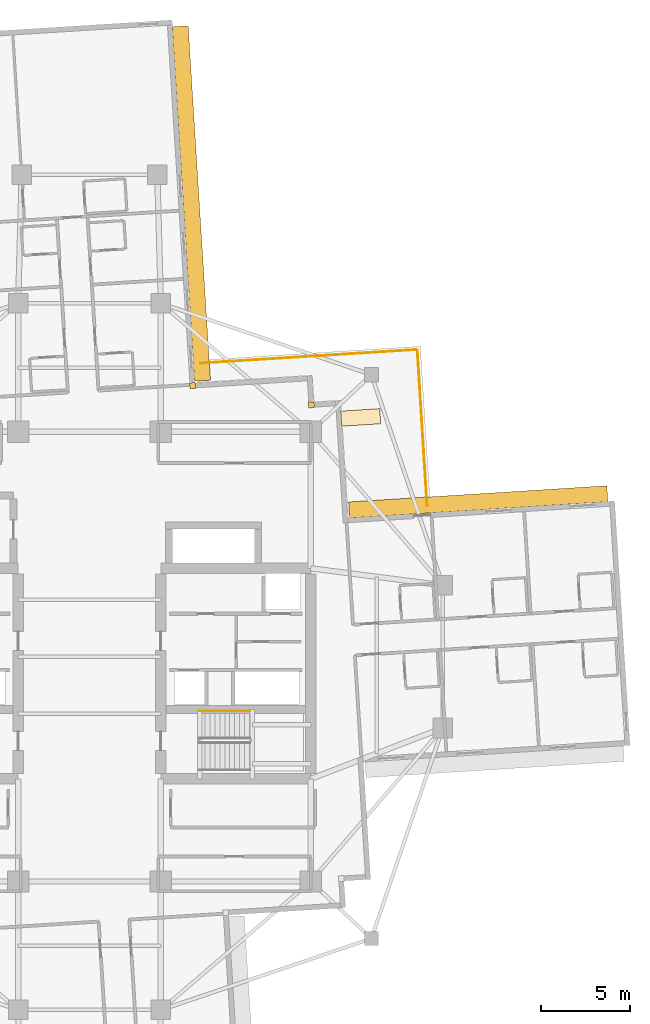
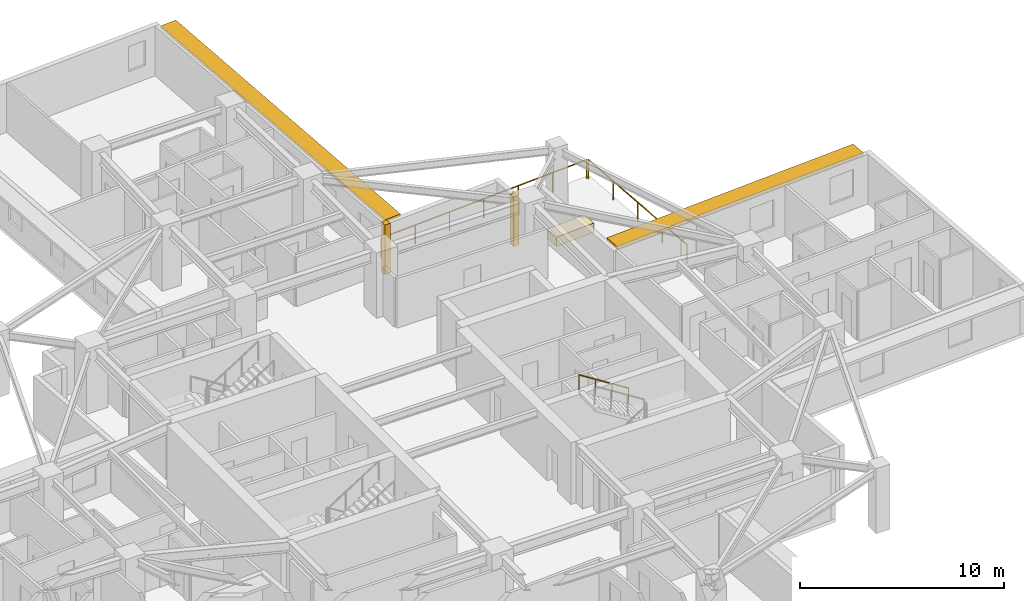
# One storey, part 14 of 14: 3 coverings, 3 railings, 2 shading devices.
"""IFC4 building model written with IfcOpenShell, lengths in metres."""

from ifc_helpers import new_model, si_unit, direction, frame, origin, origin_2d, place, context, subcontext, project, spatial, rectangle, circle, extrude, material, layer, layer_set, type_object, element, save


model = new_model("IFC4")

# Units and contexts
model_context = context("Model", 3, precision=1e-05, world=origin(), true_north=direction((0.0, 1.0)))
body_context = subcontext(model_context, "Body", "Model", "MODEL_VIEW")
ifc_project = project(units=[si_unit("LENGTHUNIT", "METRE"), si_unit("AREAUNIT", "SQUARE_METRE"), si_unit("VOLUMEUNIT", "CUBIC_METRE"), si_unit("PLANEANGLEUNIT", "RADIAN"), si_unit("MASSUNIT", "GRAM", prefix="KILO")], contexts=[model_context])

# Site, building, storey
site_placement = place(None, origin())
site = spatial("IfcSite", under=ifc_project, at=site_placement, CompositionType="ELEMENT")
building_placement = place(site_placement, origin())
building = spatial("IfcBuilding", under=site, at=building_placement, Name="Qingluan Cross Belvedere", CompositionType="ELEMENT")
storey_placement = place(building_placement, frame((0.0, 0.0, 128.10009765625)))
storey = spatial("IfcBuildingStorey", under=building, at=storey_placement, Name="L32", CompositionType="ELEMENT", Elevation=128.10009765625)

# Coverings
ifc_material_1 = material(Name="Precast concrete C45", Category="concrete")
ifc_layer_1 = layer(ifc_material_1, 0.1201171875, Name="ConcreteSpandrelCladding_120")
ifc_layer_set_1 = layer_set([ifc_layer_1], Name="Precast concrete C45")
covering_type_1 = type_object("IfcCoveringType", Name="ConcreteSpandrelCladding_120", PredefinedType="CLADDING", material=ifc_layer_set_1)
for number, where, z_axis, x_axis, name in (
    (1, (12.438720703125, 14.10888671875, 0.0), (0.0, 0.0, 1.0), (0.998026728428, 0.062790519529, 0.0), "Corner closure L32-NE1"),
    (2, (5.77734375, 15.192626953125, 0.0), (0.0, 0.0, 1.0), (0.998026728428, 0.062790519529, 0.0), "Corner closure L32-NE2"),
):
    element("IfcCovering", number, at=place(storey_placement, frame(where, z_axis=z_axis, x_axis=x_axis)), inside=storey, type_object=covering_type_1, Name=name, PredefinedType="CLADDING", context=body_context, shape_type="SweptSolid", body=[
        extrude(rectangle(XDim=0.320068359375, YDim=0.320068359375, at=origin_2d()), origin(), (0.0, 0.0, 1.0), 2.969970703125),
    ])

# Shading devices
ifc_material_2 = material(Name="Precast concrete C45", Category="concrete")
ifc_layer_2 = layer(ifc_material_2, 0.159912109375, Name="ConcreteSunshadeBand_900")
ifc_layer_set_2 = layer_set([ifc_layer_2], Name="Precast concrete C45")
shading_device_type = type_object("IfcShadingDeviceType", Name="ConcreteSunshadeBand_900", PredefinedType="USERDEFINED", material=ifc_layer_set_2)
shading_device_1_placement = place(storey_placement, frame((21.788330078125, 8.67529296875, 2.7900390625), z_axis=(0.0, 0.0, 1.0), x_axis=(-0.99802639199, -0.062795866837, 0.0)))
element("IfcShadingDevice", 3, at=shading_device_1_placement, inside=storey, type_object=shading_device_type, Name="Concrete SUNSHADE L32-EB", ObjectType="SUNSHADE", PredefinedType="USERDEFINED", context=body_context, shape_type="SweptSolid", body=[
    extrude(rectangle(XDim=14.5, YDim=0.89990234375, at=origin_2d()), origin(), (0.0, 0.0, 1.0), 0.159912109375),
])
shading_device_2_placement = place(storey_placement, frame((5.70654296875, 25.3984375, 2.7900390625), z_axis=(0.0, 0.0, 1.0), x_axis=(-0.062786203294, 0.998026999973, 0.0)))
element("IfcShadingDevice", 4, at=shading_device_2_placement, inside=storey, type_object=shading_device_type, Name="Concrete SUNSHADE L32-NA", ObjectType="SUNSHADE", PredefinedType="USERDEFINED", context=body_context, shape_type="SweptSolid", body=[
    extrude(rectangle(XDim=19.89990234375, YDim=0.89990234375, at=origin_2d()), origin(), (0.0, 0.0, 1.0), 0.159912109375),
])

# Railings
ifc_material_3 = material(Name="Brushed stainless steel tubular handrail", Category="steel")
railing_type_1 = type_object("IfcRailingType", Name="StairPitchHandrail_900", PredefinedType="HANDRAIL", material=ifc_material_3)
railing_1_placement = place(storey_placement, frame((8.97998046875, -3.050048828125, 2.127197265625)))
element("IfcRailing", 5, at=railing_1_placement, inside=storey, type_object=railing_type_1, Name="L32 ST2 stair handrail 2", PredefinedType="HANDRAIL", context=body_context, shape_type="SweptSolid", body=[
    extrude(circle(Radius=0.02392578125, at=origin_2d()), frame((0.0, 0.0, 0.8759765625), z_axis=(-0.844908973607, 0.0, 0.534910110503), x_axis=(0.0, -1.0, 0.0)), (0.0, 0.0, 1.0), 3.31396484375),
    extrude(circle(Radius=0.02099609375, at=origin_2d()), origin(), (0.0, 0.0, 1.0), 0.851806640625),
    extrude(circle(Radius=0.02099609375, at=origin_2d()), frame((-0.933349609375, 0.0, 0.5908203125)), (0.0, 0.0, 1.0), 0.851806640625),
    extrude(circle(Radius=0.02099609375, at=origin_2d()), frame((-1.86669921875, 0.0, 1.181884765625)), (0.0, 0.0, 1.0), 0.851806640625),
    extrude(circle(Radius=0.02099609375, at=origin_2d()), frame((-2.800048828125, 0.0, 1.772705078125)), (0.0, 0.0, 1.0), 0.851806640625),
])
ifc_material_4 = material(Name="Laminated glass and stainless steel balustrade", Category="steel")
railing_type_2 = type_object("IfcRailingType", Name="TerraceGuardBalustrade_1150", PredefinedType="BALUSTRADE", material=ifc_material_4)
railing_2_placement = place(storey_placement, frame((6.2197265625, 16.443115234375, 0.0)))
element("IfcRailing", 6, at=railing_2_placement, inside=storey, type_object=railing_type_2, Name="Terrace guard L32-1", PredefinedType="BALUSTRADE", context=body_context, shape_type="SweptSolid", body=[
    extrude(circle(Radius=0.02392578125, at=origin_2d()), frame((0.0, 0.0, 1.1259765625), z_axis=(0.998026943148, 0.062787106563, 0.0), x_axis=(-0.062787106563, 0.998026943148, 0.0)), (0.0, 0.0, 1.0), 12.1201171875),
    extrude(circle(Radius=0.02099609375, at=origin_2d()), origin(), (0.0, 0.0, 1.0), 1.101806640625),
    extrude(circle(Radius=0.02099609375, at=origin_2d()), frame((2.01611328125, 0.126953125, 0.0)), (0.0, 0.0, 1.0), 1.101806640625),
    extrude(circle(Radius=0.02099609375, at=origin_2d()), frame((4.031982421875, 0.253662109375, 0.0)), (0.0, 0.0, 1.0), 1.101806640625),
    extrude(circle(Radius=0.02099609375, at=origin_2d()), frame((6.048095703125, 0.38037109375, 0.0)), (0.0, 0.0, 1.0), 1.101806640625),
    extrude(circle(Radius=0.02099609375, at=origin_2d()), frame((8.064208984375, 0.50732421875, 0.0)), (0.0, 0.0, 1.0), 1.101806640625),
    extrude(circle(Radius=0.02099609375, at=origin_2d()), frame((10.080078125, 0.63427734375, 0.0)), (0.0, 0.0, 1.0), 1.101806640625),
    extrude(circle(Radius=0.02099609375, at=origin_2d()), frame((12.09619140625, 0.760986328125, 0.0)), (0.0, 0.0, 1.0), 1.101806640625),
])
railing_3_placement = place(storey_placement, frame((18.37939453125, 17.14794921875, 0.0)))
element("IfcRailing", 7, at=railing_3_placement, inside=storey, type_object=railing_type_2, Name="Terrace guard L32-2", PredefinedType="BALUSTRADE", context=body_context, shape_type="SweptSolid", body=[
    extrude(circle(Radius=0.02392578125, at=origin_2d()), frame((0.0, 0.0, 1.1259765625), z_axis=(0.062798351797, -0.998026235633, 0.0), x_axis=(0.998026235633, 0.062798351797, 0.0)), (0.0, 0.0, 1.0), 8.719970703125),
    extrude(circle(Radius=0.02099609375, at=origin_2d()), origin(), (0.0, 0.0, 1.0), 1.101806640625),
    extrude(circle(Radius=0.02099609375, at=origin_2d()), frame((0.136962890625, -2.17578125, 0.0)), (0.0, 0.0, 1.0), 1.101806640625),
    extrude(circle(Radius=0.02099609375, at=origin_2d()), frame((0.27392578125, -4.3515625, 0.0)), (0.0, 0.0, 1.0), 1.101806640625),
    extrude(circle(Radius=0.02099609375, at=origin_2d()), frame((0.41064453125, -6.527099609375, 0.0)), (0.0, 0.0, 1.0), 1.101806640625),
    extrude(circle(Radius=0.02099609375, at=origin_2d()), frame((0.547607421875, -8.702880859375, 0.0)), (0.0, 0.0, 1.0), 1.101806640625),
])

# Covering
ifc_material_5 = material(Name="Precast concrete C40", Category="concrete")
ifc_layer_3 = layer(ifc_material_5, 0.550048828125, Name="TerracePlanterBox")
ifc_layer_set_3 = layer_set([ifc_layer_3], Name="Precast concrete C40")
covering_type_2 = type_object("IfcCoveringType", Name="TerracePlanterBox", PredefinedType="USERDEFINED", material=ifc_layer_set_3)
covering_placement = place(storey_placement, frame((15.197998046875, 13.406005859375, 0.0), z_axis=(0.0, 0.0, 1.0), x_axis=(0.998026728428, 0.062790519529, 0.0)))
element("IfcCovering", 8, at=covering_placement, inside=storey, type_object=covering_type_2, Name="Spiralling winter-garden planter L32", ObjectType="PLANTER", PredefinedType="USERDEFINED", context=body_context, shape_type="SweptSolid", body=[
    extrude(rectangle(XDim=2.199951171875, YDim=0.85009765625, at=origin_2d()), origin(), (0.0, 0.0, 1.0), 0.550048828125),
])

save(model, "model.ifc")
